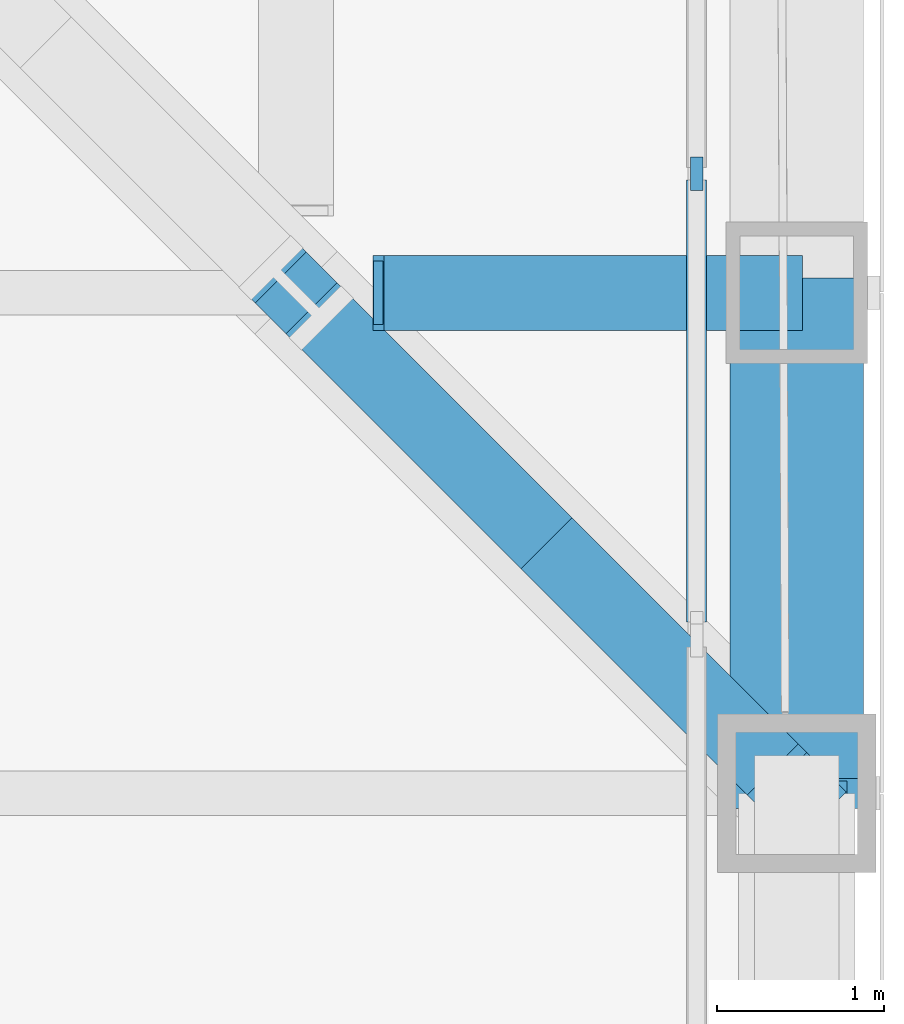
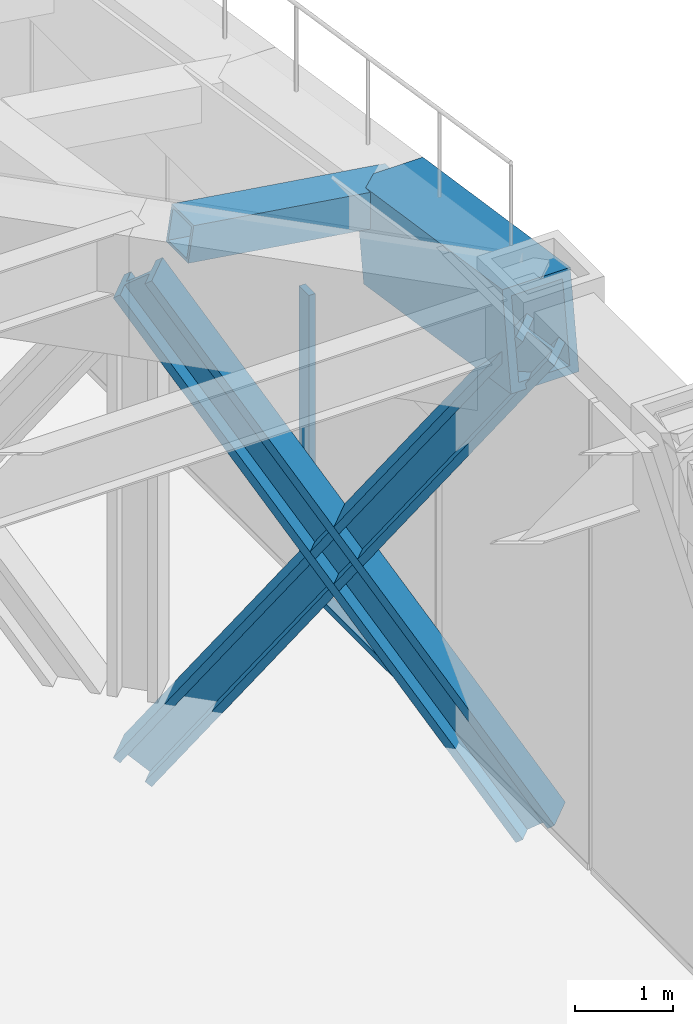
# One storey, part 8 of 31: 4 members, 2 beams, 1 element without a shape of its own.
"""IFC4 building model written with IfcOpenShell, lengths in metres."""

from ifc_helpers import new_model, si_unit, direction, frame, origin, origin_2d, place, context, subcontext, project, spatial, rectangle, hollow_rectangle, i_section, extrude, material, layer, layer_set, material_profile, profile_set, type_object, element, aggregate, save


model = new_model("IFC4")

# Units and contexts
model_context = context("Model", 3, precision=1e-05, world=origin(), true_north=direction((0.0, 1.0)))
body_context = subcontext(model_context, "Body", "Model", "MODEL_VIEW")
ifc_project = project(units=[si_unit("LENGTHUNIT", "METRE"), si_unit("AREAUNIT", "SQUARE_METRE"), si_unit("VOLUMEUNIT", "CUBIC_METRE"), si_unit("PLANEANGLEUNIT", "RADIAN"), si_unit("MASSUNIT", "GRAM", prefix="KILO")], contexts=[model_context])

# Site, building, storey
site_placement = place(None, origin())
site = spatial("IfcSite", under=ifc_project, at=site_placement, CompositionType="ELEMENT")
building_placement = place(site_placement, origin())
building = spatial("IfcBuilding", under=site, at=building_placement, Name="Chuquiago Exchange Tower", CompositionType="ELEMENT")
storey_placement = place(building_placement, frame((0.0, 0.0, 96.300048828125)))
storey = spatial("IfcBuildingStorey", under=building, at=storey_placement, Name="L20", CompositionType="ELEMENT", Elevation=96.300048828125)

# Curtain wall, members
ifc_material_1 = material(Name="Aluminium curtain wall system", Category="aluminium")
ifc_layer = layer(ifc_material_1, 0.199951171875)
ifc_layer_set = layer_set([ifc_layer], Name="CW6 plant floor louvre wall")
curtain_wall_type = type_object("IfcCurtainWallType", Name="CW6 plant floor louvre wall", PredefinedType="NOTDEFINED", material=ifc_layer_set)
curtain_wall_placement = place(storey_placement, origin())
curtain_wall = element("IfcCurtainWall", 1, at=curtain_wall_placement, inside=storey, type_object=curtain_wall_type, Name="CW6 curtain wall L20", PredefinedType="NOTDEFINED")
ifc_material_2 = material(Name="Aluminium mullion, pale anodised", Category="aluminium")
ifc_material_profile_1 = material_profile(ifc_material_2, rectangle(XDim=0.074951171875, YDim=0.199951171875, at=origin_2d()), Name="AL 75x200")
ifc_profile_set_1 = profile_set([ifc_material_profile_1], Name="Aluminium mullion, pale anodised")
member_type_1 = type_object("IfcMemberType", Name="CW6-M mullion 75x200", PredefinedType="MULLION", material=ifc_profile_set_1)
member_1_placement = place(storey_placement, frame((44.39990234375, 30.713134765625, 0.0), z_axis=(0.0, 0.0, 1.0), x_axis=(-1.0, 0.0, 0.0)))
member_1 = element("IfcMember", 2, at=member_1_placement, type_object=member_type_1, Name="CW6 mullion 2", PredefinedType="MULLION", context=body_context, shape_type="SweptSolid", body=[
    extrude(rectangle(XDim=0.074951171875, YDim=0.199951171875, at=origin_2d()), origin(), (0.0, 0.0, 1.0), 3.66845703125),
])
ifc_material_3 = material(Name="Aluminium transom, pale anodised", Category="aluminium")
ifc_material_profile_2 = material_profile(ifc_material_3, rectangle(XDim=0.1201171875, YDim=0.074951171875, at=origin_2d()), Name="AL 120x75")
ifc_profile_set_2 = profile_set([ifc_material_profile_2], Name="Aluminium transom, pale anodised")
member_type_2 = type_object("IfcMemberType", Name="CW6-T transom 75x120", PredefinedType="MULLION", material=ifc_profile_set_2)
member_2_placement = place(storey_placement, frame((44.39990234375, 28.028564453125, 0.037353515625), z_axis=(0.0, 1.0, 0.0), x_axis=(-1.0, 0.0, 0.0)))
member_2 = element("IfcMember", 3, at=member_2_placement, type_object=member_type_2, Name="CW6 transom 1.1", PredefinedType="MULLION", context=body_context, shape_type="SweptSolid", body=[
    extrude(rectangle(XDim=0.1201171875, YDim=0.074951171875, at=origin_2d()), origin(), (0.0, 0.0, 1.0), 2.64697265625),
])
aggregate(curtain_wall, [member_1, member_2])

# Beams
ifc_material_4 = material(Name="Steel ASTM A572 Grade 50", Category="steel")
ifc_material_profile_3 = material_profile(ifc_material_4, hollow_rectangle(XDim=0.800048828125, YDim=1.199951171875, WallThickness=0.10009765625, at=origin_2d()), Name="BOX1200X800X100")
ifc_profile_set_3 = profile_set([ifc_material_profile_3], Name="Steel ASTM A572 Grade 50")
beam_type_1 = type_object("IfcBeamType", Name="EB1 BOX1200X800X100", PredefinedType="BEAM", material=ifc_profile_set_3)
beam_1_placement = place(storey_placement, frame((45.0, 27.0, 5.199951171875), z_axis=(0.0, 0.98889144561, -0.148639526371), x_axis=(-1.0, 0.0, 0.0)))
element("IfcBeam", 4, at=beam_1_placement, inside=storey, type_object=beam_type_1, Name="Facet roof edge beam L20", PredefinedType="BEAM", context=body_context, shape_type="SweptSolid", body=[
    extrude(hollow_rectangle(XDim=0.800048828125, YDim=1.199951171875, WallThickness=0.10009765625, at=origin_2d()), origin(), (0.0, 0.0, 1.0), 3.03369140625),
])
ifc_material_5 = material(Name="Steel ASTM A572 Grade 50", Category="steel")
ifc_material_profile_4 = material_profile(ifc_material_5, hollow_rectangle(XDim=0.449951171875, YDim=0.449951171875, WallThickness=0.034912109375, at=origin_2d()), Name="BOX450X450X35")
ifc_profile_set_4 = profile_set([ifc_material_profile_4], Name="Steel ASTM A572 Grade 50")
beam_type_2 = type_object("IfcBeamType", Name="FR1 BOX450X450X35", PredefinedType="BEAM", material=ifc_profile_set_4)
beam_2_placement = place(storey_placement, frame((42.492919921875, 30.0, 5.464599609375), z_axis=(0.988884730107, 0.0, -0.148684197418), x_axis=(0.0, 1.0, 0.0)))
element("IfcBeam", 5, at=beam_2_placement, inside=storey, type_object=beam_type_2, Name="Facet roof rafter L20", PredefinedType="BEAM", context=body_context, shape_type="SweptSolid", body=[
    extrude(hollow_rectangle(XDim=0.449951171875, YDim=0.449951171875, WallThickness=0.034912109375, at=origin_2d()), origin(), (0.0, 0.0, 1.0), 2.53515625),
])

# Members
ifc_material_6 = material(Name="Steel ASTM A992", Category="steel")
ifc_material_profile_5 = material_profile(ifc_material_6, i_section(OverallWidth=0.431884765625, OverallDepth=0.497802734375, WebThickness=0.0556640625, FlangeThickness=0.0888671875, at=origin_2d()), Name="W14X500")
ifc_profile_set_5 = profile_set([ifc_material_profile_5], Name="Steel ASTM A992")
member_type_3 = type_object("IfcMemberType", Name="TT3 W14X500", PredefinedType="BRACE", material=ifc_profile_set_5)
for number, where, z_axis, x_axis, name in (
    (6, (45.0, 27.0, -0.91015625), (-0.408248290464, 0.408248290464, 0.816496580928), (-0.707106781187, -0.707106781187, 0.0), "Transfer truss L20 NE diagonal"),
    (7, (42.0, 30.0, -0.91015625), (0.408248290464, -0.408248290464, 0.816496580928), (0.707106781187, 0.707106781187, 0.0), "Transfer truss L20 NE counter-diagonal"),
):
    element("IfcMember", number, at=place(storey_placement, frame(where, z_axis=z_axis, x_axis=x_axis)), inside=storey, type_object=member_type_3, Name=name, PredefinedType="BRACE", context=body_context, shape_type="SweptSolid", body=[
        extrude(i_section(OverallWidth=0.431884765625, OverallDepth=0.497802734375, WebThickness=0.0556640625, FlangeThickness=0.0888671875, at=origin_2d()), origin(), (0.0, 0.0, 1.0), 7.348388671875),
    ])

save(model, "model.ifc")
